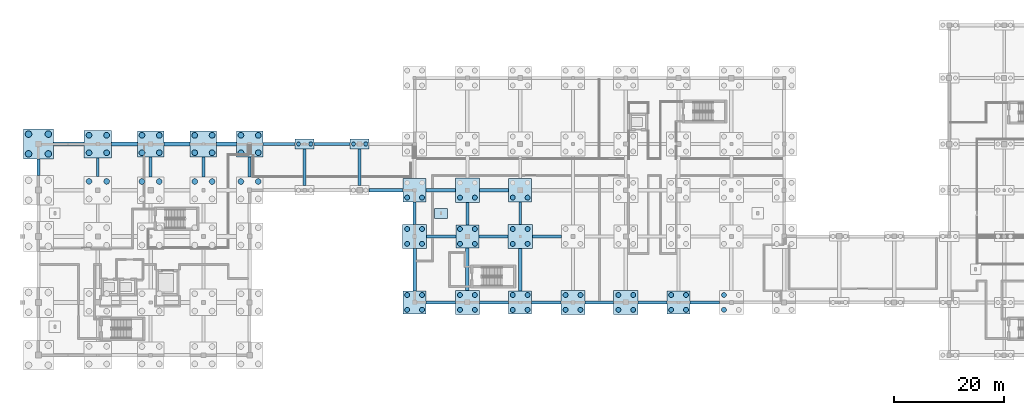
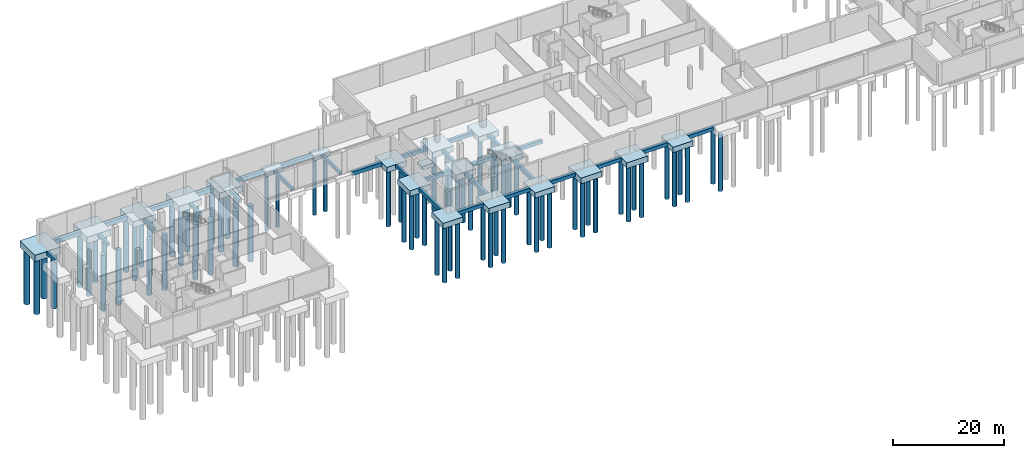
# One storey, part 2 of 28: 76 piles, 51 footings.
"""IFC4 building model written with IfcOpenShell, lengths in metres."""

from ifc_helpers import new_model, si_unit, direction, frame, origin, origin_2d, place, context, subcontext, project, spatial, rectangle, circle, extrude, material, layer, layer_set, material_profile, profile_set, type_object, element, save


model = new_model("IFC4")

# Units and contexts
model_context = context("Model", 3, precision=1e-05, world=origin(), true_north=direction((0.0, 1.0)))
body_context = subcontext(model_context, "Body", "Model", "MODEL_VIEW")
ifc_project = project(units=[si_unit("LENGTHUNIT", "METRE"), si_unit("AREAUNIT", "SQUARE_METRE"), si_unit("VOLUMEUNIT", "CUBIC_METRE"), si_unit("PLANEANGLEUNIT", "RADIAN"), si_unit("MASSUNIT", "GRAM", prefix="KILO")], contexts=[model_context])

# Site, building, storey
site_placement = place(None, origin())
site = spatial("IfcSite", under=ifc_project, at=site_placement, CompositionType="ELEMENT")
building_placement = place(site_placement, origin())
building = spatial("IfcBuilding", under=site, at=building_placement, Name="Zereglee Splitstone Museum", CompositionType="ELEMENT")
storey_placement = place(building_placement, frame((0.0, 0.0, -4.800048828125)))
storey = spatial("IfcBuildingStorey", under=building, at=storey_placement, Name="B1", CompositionType="ELEMENT", Elevation=-4.800048828125)

# Footings
ifc_material = material(Name="Concrete C40/50", Category="concrete")
footing_type_1 = type_object("IfcFootingType", Name="FB-03", PredefinedType="FOOTING_BEAM", material=ifc_material)
footing_1_placement = place(storey_placement, frame((9.60009765625, 34.199951171875, -1.14990234375), z_axis=(0.0, 0.0, 1.0), x_axis=(0.0, 1.0, 0.0)))
element("IfcFooting", 1, at=footing_1_placement, inside=storey, type_object=footing_type_1, Name="Ground Tie Beam FBY-141", PredefinedType="FOOTING_BEAM", context=body_context, shape_type="SweptSolid", body=[
    extrude(rectangle(XDim=3.0, YDim=0.5, at=origin_2d()), origin(), (0.0, 0.0, 1.0), 0.699951171875),
])
footing_2_placement = place(storey_placement, frame((20.39990234375, 34.199951171875, -1.14990234375), z_axis=(0.0, 0.0, 1.0), x_axis=(0.0, 1.0, 0.0)))
element("IfcFooting", 2, at=footing_2_placement, inside=storey, type_object=footing_type_1, Name="Ground Tie Beam FBY-145", PredefinedType="FOOTING_BEAM", context=body_context, shape_type="SweptSolid", body=[
    extrude(rectangle(XDim=3.39990234375, YDim=0.5, at=origin_2d()), origin(), (0.0, 0.0, 1.0), 0.699951171875),
])
for number, where, z_axis, x_axis, name in (
    (3, (30.0, 34.199951171875, -1.14990234375), (0.0, 0.0, 1.0), (0.0, 1.0, 0.0), "Ground Tie Beam FBY-149"),
    (4, (39.60009765625, 34.199951171875, -1.14990234375), (0.0, 0.0, 1.0), (0.0, 1.0, 0.0), "Ground Tie Beam FBY-153"),
    (5, (48.0, 34.199951171875, -1.14990234375), (0.0, 0.0, 1.0), (0.0, 1.0, 0.0), "Ground Tie Beam FBY-157"),
):
    element("IfcFooting", number, at=place(storey_placement, frame(where, z_axis=z_axis, x_axis=x_axis)), inside=storey, type_object=footing_type_1, Name=name, PredefinedType="FOOTING_BEAM", context=body_context, shape_type="SweptSolid", body=[
        extrude(rectangle(XDim=3.60009765625, YDim=0.5, at=origin_2d()), origin(), (0.0, 0.0, 1.0), 0.699951171875),
    ])
for number, where, z_axis, x_axis, name in (
    (6, (58.0, 34.199951171875, -1.14990234375), (0.0, 0.0, 1.0), (0.0, 1.0, 0.0), "Ground Tie Beam FBY-158"),
    (7, (68.0, 34.199951171875, -1.14990234375), (0.0, 0.0, 1.0), (0.0, 1.0, 0.0), "Ground Tie Beam FBY-159"),
):
    element("IfcFooting", number, at=place(storey_placement, frame(where, z_axis=z_axis, x_axis=x_axis)), inside=storey, type_object=footing_type_1, Name=name, PredefinedType="FOOTING_BEAM", context=body_context, shape_type="SweptSolid", body=[
        extrude(rectangle(XDim=6.64990234375, YDim=0.5, at=origin_2d()), origin(), (0.0, 0.0, 1.0), 0.699951171875),
    ])
for number, where, z_axis, x_axis, name in (
    (8, (78.0, 25.85009765625, -1.14990234375), (0.0, 0.0, 1.0), (0.0, 1.0, 0.0), "Ground Tie Beam FBY-161"),
    (9, (87.60009765625, 25.75, -1.14990234375), (0.0, 0.0, 1.0), (0.0, 1.0, 0.0), "Ground Tie Beam FBY-165"),
    (10, (97.199951171875, 25.85009765625, -1.14990234375), (0.0, 0.0, 1.0), (0.0, 1.0, 0.0), "Ground Tie Beam FBY-169"),
):
    element("IfcFooting", number, at=place(storey_placement, frame(where, z_axis=z_axis, x_axis=x_axis)), inside=storey, type_object=footing_type_1, Name=name, PredefinedType="FOOTING_BEAM", context=body_context, shape_type="SweptSolid", body=[
        extrude(rectangle(XDim=4.10009765625, YDim=0.5, at=origin_2d()), origin(), (0.0, 0.0, 1.0), 0.699951171875),
    ])
footing_type_2 = type_object("IfcFootingType", Name="FB-02", PredefinedType="FOOTING_BEAM", material=ifc_material)
for number, where, z_axis, x_axis, name in (
    (11, (82.75, 9.60009765625, -1.25), (0.0, 0.0, 1.0), (1.0, 0.0, 0.0), "Ground Tie Beam FBX-019"),
    (12, (92.449951171875, 9.60009765625, -1.25), (0.0, 0.0, 1.0), (1.0, 0.0, 0.0), "Ground Tie Beam FBX-020"),
    (13, (101.949951171875, 9.60009765625, -1.25), (0.0, 0.0, 1.0), (1.0, 0.0, 0.0), "Ground Tie Beam FBX-021"),
):
    element("IfcFooting", number, at=place(storey_placement, frame(where, z_axis=z_axis, x_axis=x_axis)), inside=storey, type_object=footing_type_2, Name=name, PredefinedType="FOOTING_BEAM", context=body_context, shape_type="SweptSolid", body=[
        extrude(rectangle(XDim=5.300048828125, YDim=0.60009765625, at=origin_2d()), origin(), (0.0, 0.0, 1.0), 0.800048828125),
    ])
footing_3_placement = place(storey_placement, frame((111.60009765625, 9.60009765625, -1.25), z_axis=(0.0, 0.0, 1.0), x_axis=(1.0, 0.0, 0.0)))
element("IfcFooting", 14, at=footing_3_placement, inside=storey, type_object=footing_type_2, Name="Ground Tie Beam FBX-022", PredefinedType="FOOTING_BEAM", context=body_context, shape_type="SweptSolid", body=[
    extrude(rectangle(XDim=5.199951171875, YDim=0.60009765625, at=origin_2d()), origin(), (0.0, 0.0, 1.0), 0.800048828125),
])
for number, where, z_axis, x_axis, name in (
    (15, (121.25, 9.60009765625, -1.25), (0.0, 0.0, 1.0), (1.0, 0.0, 0.0), "Ground Tie Beam FBX-023"),
    (16, (130.75, 9.60009765625, -1.25), (0.0, 0.0, 1.0), (1.0, 0.0, 0.0), "Ground Tie Beam FBX-024"),
    (17, (82.85009765625, 21.60009765625, -1.25), (0.0, 0.0, 1.0), (1.0, 0.0, 0.0), "Ground Tie Beam FBX-040"),
    (18, (92.35009765625, 21.60009765625, -1.25), (0.0, 0.0, 1.0), (1.0, 0.0, 0.0), "Ground Tie Beam FBX-041"),
    (19, (102.050048828125, 21.60009765625, -1.25), (0.0, 0.0, 1.0), (1.0, 0.0, 0.0), "Ground Tie Beam FBX-042"),
):
    element("IfcFooting", number, at=place(storey_placement, frame(where, z_axis=z_axis, x_axis=x_axis)), inside=storey, type_object=footing_type_2, Name=name, PredefinedType="FOOTING_BEAM", context=body_context, shape_type="SweptSolid", body=[
        extrude(rectangle(XDim=5.300048828125, YDim=0.60009765625, at=origin_2d()), origin(), (0.0, 0.0, 1.0), 0.800048828125),
    ])
footing_4_placement = place(storey_placement, frame((72.824951171875, 30.0, -1.25), z_axis=(0.0, 0.0, 1.0), x_axis=(1.0, 0.0, 0.0)))
element("IfcFooting", 20, at=footing_4_placement, inside=storey, type_object=footing_type_2, Name="Ground Tie Beam FBX-066", PredefinedType="FOOTING_BEAM", context=body_context, shape_type="SweptSolid", body=[
    extrude(rectangle(XDim=6.14990234375, YDim=0.60009765625, at=origin_2d()), origin(), (0.0, 0.0, 1.0), 0.800048828125),
])
for number, where, z_axis, x_axis, name in (
    (21, (82.75, 30.0, -1.25), (0.0, 0.0, 1.0), (1.0, 0.0, 0.0), "Ground Tie Beam FBX-067"),
    (22, (92.449951171875, 30.0, -1.25), (0.0, 0.0, 1.0), (1.0, 0.0, 0.0), "Ground Tie Beam FBX-068"),
):
    element("IfcFooting", number, at=place(storey_placement, frame(where, z_axis=z_axis, x_axis=x_axis)), inside=storey, type_object=footing_type_2, Name=name, PredefinedType="FOOTING_BEAM", context=body_context, shape_type="SweptSolid", body=[
        extrude(rectangle(XDim=5.300048828125, YDim=0.60009765625, at=origin_2d()), origin(), (0.0, 0.0, 1.0), 0.800048828125),
    ])
footing_5_placement = place(storey_placement, frame((53.324951171875, 38.39990234375, -1.25), z_axis=(0.0, 0.0, 1.0), x_axis=(1.0, 0.0, 0.0)))
element("IfcFooting", 23, at=footing_5_placement, inside=storey, type_object=footing_type_2, Name="Ground Tie Beam FBX-093", PredefinedType="FOOTING_BEAM", context=body_context, shape_type="SweptSolid", body=[
    extrude(rectangle(XDim=5.85009765625, YDim=0.60009765625, at=origin_2d()), origin(), (0.0, 0.0, 1.0), 0.800048828125),
])
footing_6_placement = place(storey_placement, frame((63.0, 38.39990234375, -1.25), z_axis=(0.0, 0.0, 1.0), x_axis=(1.0, 0.0, 0.0)))
element("IfcFooting", 24, at=footing_6_placement, inside=storey, type_object=footing_type_2, Name="Ground Tie Beam FBX-094", PredefinedType="FOOTING_BEAM", context=body_context, shape_type="SweptSolid", body=[
    extrude(rectangle(XDim=6.5, YDim=0.60009765625, at=origin_2d()), origin(), (0.0, 0.0, 1.0), 0.800048828125),
])
for number, where, z_axis, x_axis, name in (
    (25, (78.0, 15.550048828125, -1.25), (0.0, 0.0, 1.0), (0.0, 1.0, 0.0), "Ground Tie Beam FBY-160"),
    (26, (87.60009765625, 15.64990234375, -1.25), (0.0, 0.0, 1.0), (0.0, 1.0, 0.0), "Ground Tie Beam FBY-164"),
    (27, (97.199951171875, 15.550048828125, -1.25), (0.0, 0.0, 1.0), (0.0, 1.0, 0.0), "Ground Tie Beam FBY-168"),
):
    element("IfcFooting", number, at=place(storey_placement, frame(where, z_axis=z_axis, x_axis=x_axis)), inside=storey, type_object=footing_type_2, Name=name, PredefinedType="FOOTING_BEAM", context=body_context, shape_type="SweptSolid", body=[
        extrude(rectangle(XDim=7.699951171875, YDim=0.60009765625, at=origin_2d()), origin(), (0.0, 0.0, 1.0), 0.800048828125),
    ])
footing_type_3 = type_object("IfcFootingType", Name="FB-01", PredefinedType="FOOTING_BEAM", material=ifc_material)
footing_7_placement = place(storey_placement, frame((15.10009765625, 38.39990234375, -1.349853515625), z_axis=(0.0, 0.0, 1.0), x_axis=(1.0, 0.0, 0.0)))
element("IfcFooting", 28, at=footing_7_placement, inside=storey, type_object=footing_type_3, Name="Ground Tie Beam FBX-089", PredefinedType="FOOTING_BEAM", context=body_context, shape_type="SweptSolid", body=[
    extrude(rectangle(XDim=5.60009765625, YDim=0.699951171875, at=origin_2d()), origin(), (0.0, 0.0, 1.0), 0.89990234375),
])
footing_8_placement = place(storey_placement, frame((25.25, 38.39990234375, -1.349853515625), z_axis=(0.0, 0.0, 1.0), x_axis=(1.0, 0.0, 0.0)))
element("IfcFooting", 29, at=footing_8_placement, inside=storey, type_object=footing_type_3, Name="Ground Tie Beam FBX-090", PredefinedType="FOOTING_BEAM", context=body_context, shape_type="SweptSolid", body=[
    extrude(rectangle(XDim=4.699951171875, YDim=0.699951171875, at=origin_2d()), origin(), (0.0, 0.0, 1.0), 0.89990234375),
])
footing_9_placement = place(storey_placement, frame((34.800048828125, 38.39990234375, -1.349853515625), z_axis=(0.0, 0.0, 1.0), x_axis=(1.0, 0.0, 0.0)))
element("IfcFooting", 30, at=footing_9_placement, inside=storey, type_object=footing_type_3, Name="Ground Tie Beam FBX-091", PredefinedType="FOOTING_BEAM", context=body_context, shape_type="SweptSolid", body=[
    extrude(rectangle(XDim=4.800048828125, YDim=0.699951171875, at=origin_2d()), origin(), (0.0, 0.0, 1.0), 0.89990234375),
])
footing_10_placement = place(storey_placement, frame((43.800048828125, 38.39990234375, -1.349853515625), z_axis=(0.0, 0.0, 1.0), x_axis=(1.0, 0.0, 0.0)))
element("IfcFooting", 31, at=footing_10_placement, inside=storey, type_object=footing_type_3, Name="Ground Tie Beam FBX-092", PredefinedType="FOOTING_BEAM", context=body_context, shape_type="SweptSolid", body=[
    extrude(rectangle(XDim=3.60009765625, YDim=0.699951171875, at=origin_2d()), origin(), (0.0, 0.0, 1.0), 0.89990234375),
])
ifc_layer_1 = layer(ifc_material, 0.800048828125)
ifc_layer_set_1 = layer_set([ifc_layer_1], Name="Concrete C40/50")
footing_type_4 = type_object("IfcFootingType", Name="PF-03", PredefinedType="PAD_FOOTING", material=ifc_layer_set_1)
footing_11_placement = place(storey_placement, frame((82.800048828125, 25.800048828125, -1.25), z_axis=(0.0, 0.0, 1.0), x_axis=(1.0, 0.0, 0.0)))
element("IfcFooting", 32, at=footing_11_placement, inside=storey, type_object=footing_type_4, Name="Interior Portal Pilaster Pad Footing PF3", PredefinedType="PAD_FOOTING", context=body_context, shape_type="SweptSolid", body=[
    extrude(rectangle(XDim=2.39990234375, YDim=1.800048828125, at=origin_2d()), origin(), (0.0, 0.0, 1.0), 0.800048828125),
])
ifc_layer_2 = layer(ifc_material, 1.0)
ifc_layer_set_2 = layer_set([ifc_layer_2], Name="Concrete C40/50")
footing_type_5 = type_object("IfcFootingType", Name="PC-08", PredefinedType="PILE_CAP", material=ifc_layer_set_2)
for number, where, z_axis, x_axis, name in (
    (33, (58.0, 38.39990234375, -1.449951171875), (0.0, 0.0, 1.0), (1.0, 0.0, 0.0), "Pile Cap at (58.0, 38.4)"),
    (34, (68.0, 38.39990234375, -1.449951171875), (0.0, 0.0, 1.0), (1.0, 0.0, 0.0), "Pile Cap at (68.0, 38.4)"),
):
    element("IfcFooting", number, at=place(storey_placement, frame(where, z_axis=z_axis, x_axis=x_axis)), inside=storey, type_object=footing_type_5, Name=name, PredefinedType="PILE_CAP", context=body_context, shape_type="SweptSolid", body=[
        extrude(rectangle(XDim=3.5, YDim=1.75, at=origin_2d()), origin(), (0.0, 0.0, 1.0), 1.0),
    ])
ifc_layer_3 = layer(ifc_material, 1.199951171875)
ifc_layer_set_3 = layer_set([ifc_layer_3], Name="Concrete C40/50")
footing_type_6 = type_object("IfcFootingType", Name="PC-05", PredefinedType="PILE_CAP", material=ifc_layer_set_3)
for number, where, z_axis, x_axis, name in (
    (35, (78.0, 9.60009765625, -1.64990234375), (0.0, 0.0, 1.0), (1.0, 0.0, 0.0), "Pile Cap at (78.0, 9.6)"),
    (36, (78.0, 30.0, -1.64990234375), (0.0, 0.0, 1.0), (1.0, 0.0, 0.0), "Pile Cap at (78.0, 30.0)"),
    (37, (87.60009765625, 21.60009765625, -1.64990234375), (0.0, 0.0, 1.0), (1.0, 0.0, 0.0), "Pile Cap at (87.6, 21.6)"),
    (38, (97.199951171875, 9.60009765625, -1.64990234375), (0.0, 0.0, 1.0), (1.0, 0.0, 0.0), "Pile Cap at (97.2, 9.6)"),
    (39, (97.199951171875, 30.0, -1.64990234375), (0.0, 0.0, 1.0), (1.0, 0.0, 0.0), "Pile Cap at (97.2, 30.0)"),
    (40, (126.0, 9.60009765625, -1.64990234375), (0.0, 0.0, 1.0), (1.0, 0.0, 0.0), "Pile Cap at (126.0, 9.6)"),
):
    element("IfcFooting", number, at=place(storey_placement, frame(where, z_axis=z_axis, x_axis=x_axis)), inside=storey, type_object=footing_type_6, Name=name, PredefinedType="PILE_CAP", context=body_context, shape_type="SweptSolid", body=[
        extrude(rectangle(XDim=4.199951171875, YDim=4.199951171875, at=origin_2d()), origin(), (0.0, 0.0, 1.0), 1.199951171875),
    ])
ifc_layer_4 = layer(ifc_material, 1.25)
ifc_layer_set_4 = layer_set([ifc_layer_4], Name="Concrete C40/50")
footing_type_7 = type_object("IfcFootingType", Name="PC-04", PredefinedType="PILE_CAP", material=ifc_layer_set_4)
for number, where, z_axis, x_axis, name in (
    (41, (78.0, 21.60009765625, -1.699951171875), (0.0, 0.0, 1.0), (1.0, 0.0, 0.0), "Pile Cap at (78.0, 21.6)"),
    (42, (87.60009765625, 9.60009765625, -1.699951171875), (0.0, 0.0, 1.0), (1.0, 0.0, 0.0), "Pile Cap at (87.6, 9.6)"),
    (43, (87.60009765625, 30.0, -1.699951171875), (0.0, 0.0, 1.0), (1.0, 0.0, 0.0), "Pile Cap at (87.6, 30.0)"),
    (44, (97.199951171875, 21.60009765625, -1.699951171875), (0.0, 0.0, 1.0), (1.0, 0.0, 0.0), "Pile Cap at (97.2, 21.6)"),
    (45, (106.800048828125, 9.60009765625, -1.699951171875), (0.0, 0.0, 1.0), (1.0, 0.0, 0.0), "Pile Cap at (106.8, 9.6)"),
    (46, (116.39990234375, 9.60009765625, -1.699951171875), (0.0, 0.0, 1.0), (1.0, 0.0, 0.0), "Pile Cap at (116.4, 9.6)"),
):
    element("IfcFooting", number, at=place(storey_placement, frame(where, z_axis=z_axis, x_axis=x_axis)), inside=storey, type_object=footing_type_7, Name=name, PredefinedType="PILE_CAP", context=body_context, shape_type="SweptSolid", body=[
        extrude(rectangle(XDim=4.39990234375, YDim=4.39990234375, at=origin_2d()), origin(), (0.0, 0.0, 1.0), 1.25),
    ])
ifc_layer_5 = layer(ifc_material, 1.35009765625)
ifc_layer_set_5 = layer_set([ifc_layer_5], Name="Concrete C40/50")
footing_type_8 = type_object("IfcFootingType", Name="PC-03", PredefinedType="PILE_CAP", material=ifc_layer_set_5)
for number, where, z_axis, x_axis, name in (
    (47, (30.0, 38.39990234375, -1.800048828125), (0.0, 0.0, 1.0), (1.0, 0.0, 0.0), "Pile Cap at (30.0, 38.4)"),
    (48, (39.60009765625, 38.39990234375, -1.800048828125), (0.0, 0.0, 1.0), (1.0, 0.0, 0.0), "Pile Cap at (39.6, 38.4)"),
    (49, (48.0, 38.39990234375, -1.800048828125), (0.0, 0.0, 1.0), (1.0, 0.0, 0.0), "Pile Cap at (48.0, 38.4)"),
):
    element("IfcFooting", number, at=place(storey_placement, frame(where, z_axis=z_axis, x_axis=x_axis)), inside=storey, type_object=footing_type_8, Name=name, PredefinedType="PILE_CAP", context=body_context, shape_type="SweptSolid", body=[
        extrude(rectangle(XDim=4.800048828125, YDim=4.800048828125, at=origin_2d()), origin(), (0.0, 0.0, 1.0), 1.35009765625),
    ])
ifc_layer_6 = layer(ifc_material, 1.39990234375)
ifc_layer_set_6 = layer_set([ifc_layer_6], Name="Concrete C40/50")
footing_type_9 = type_object("IfcFootingType", Name="PC-02", PredefinedType="PILE_CAP", material=ifc_layer_set_6)
footing_12_placement = place(storey_placement, frame((20.39990234375, 38.39990234375, -1.849853515625), z_axis=(0.0, 0.0, 1.0), x_axis=(1.0, 0.0, 0.0)))
element("IfcFooting", 50, at=footing_12_placement, inside=storey, type_object=footing_type_9, Name="Pile Cap at (20.4, 38.4)", PredefinedType="PILE_CAP", context=body_context, shape_type="SweptSolid", body=[
    extrude(rectangle(XDim=5.0, YDim=5.0, at=origin_2d()), origin(), (0.0, 0.0, 1.0), 1.39990234375),
])
ifc_layer_7 = layer(ifc_material, 1.449951171875)
ifc_layer_set_7 = layer_set([ifc_layer_7], Name="Concrete C40/50")
footing_type_10 = type_object("IfcFootingType", Name="PC-01", PredefinedType="PILE_CAP", material=ifc_layer_set_7)
footing_13_placement = place(storey_placement, frame((9.60009765625, 38.39990234375, -1.89990234375), z_axis=(0.0, 0.0, 1.0), x_axis=(1.0, 0.0, 0.0)))
element("IfcFooting", 51, at=footing_13_placement, inside=storey, type_object=footing_type_10, Name="Pile Cap at (9.6, 38.4)", PredefinedType="PILE_CAP", context=body_context, shape_type="SweptSolid", body=[
    extrude(rectangle(XDim=5.39990234375, YDim=5.39990234375, at=origin_2d()), origin(), (0.0, 0.0, 1.0), 1.449951171875),
])

# Piles
ifc_material_profile_1 = material_profile(ifc_material, circle(Radius=0.52490234375, at=origin_2d()), Name="PILE D1050")
ifc_profile_set_1 = profile_set([ifc_material_profile_1], Name="Concrete C40/50")
pile_type_1 = type_object("IfcPileType", Name="PL-D10", PredefinedType="BORED", material=ifc_profile_set_1)
for number, where, z_axis, x_axis, name in (
    (52, (18.800048828125, 31.60009765625, -1.75), (0.0, 0.0, -1.0), (1.0, 0.0, 0.0), "Bored Pile 204-300-3"),
    (53, (22.0, 31.60009765625, -1.75), (0.0, 0.0, -1.0), (1.0, 0.0, 0.0), "Bored Pile 204-300-4"),
    (54, (18.800048828125, 36.800048828125, -1.75), (0.0, 0.0, -1.0), (1.0, 0.0, 0.0), "Bored Pile 204-384-1"),
    (55, (22.0, 36.800048828125, -1.75), (0.0, 0.0, -1.0), (1.0, 0.0, 0.0), "Bored Pile 204-384-2"),
    (56, (18.800048828125, 40.0, -1.75), (0.0, 0.0, -1.0), (1.0, 0.0, 0.0), "Bored Pile 204-384-3"),
    (57, (22.0, 40.0, -1.75), (0.0, 0.0, -1.0), (1.0, 0.0, 0.0), "Bored Pile 204-384-4"),
):
    element("IfcPile", number, at=place(storey_placement, frame(where, z_axis=z_axis, x_axis=x_axis)), inside=storey, type_object=pile_type_1, Name=name, PredefinedType="BORED", context=body_context, shape_type="SweptSolid", body=[
        extrude(circle(Radius=0.52490234375, at=origin_2d()), origin(), (0.0, 0.0, 1.0), 12.25),
    ])
for number, where, z_axis, x_axis, name in (
    (58, (28.419921875, 31.580078125, -1.699951171875), (0.0, 0.0, -1.0), (1.0, 0.0, 0.0), "Bored Pile 300-300-3"),
    (59, (31.580078125, 31.580078125, -1.699951171875), (0.0, 0.0, -1.0), (1.0, 0.0, 0.0), "Bored Pile 300-300-4"),
    (60, (28.419921875, 36.820068359375, -1.699951171875), (0.0, 0.0, -1.0), (1.0, 0.0, 0.0), "Bored Pile 300-384-1"),
    (61, (31.580078125, 36.820068359375, -1.699951171875), (0.0, 0.0, -1.0), (1.0, 0.0, 0.0), "Bored Pile 300-384-2"),
    (62, (28.419921875, 39.97998046875, -1.699951171875), (0.0, 0.0, -1.0), (1.0, 0.0, 0.0), "Bored Pile 300-384-3"),
    (63, (31.580078125, 39.97998046875, -1.699951171875), (0.0, 0.0, -1.0), (1.0, 0.0, 0.0), "Bored Pile 300-384-4"),
    (64, (38.02001953125, 31.580078125, -1.699951171875), (0.0, 0.0, -1.0), (1.0, 0.0, 0.0), "Bored Pile 396-300-3"),
    (65, (41.179931640625, 31.580078125, -1.699951171875), (0.0, 0.0, -1.0), (1.0, 0.0, 0.0), "Bored Pile 396-300-4"),
    (66, (38.02001953125, 36.820068359375, -1.699951171875), (0.0, 0.0, -1.0), (1.0, 0.0, 0.0), "Bored Pile 396-384-1"),
    (67, (41.179931640625, 36.820068359375, -1.699951171875), (0.0, 0.0, -1.0), (1.0, 0.0, 0.0), "Bored Pile 396-384-2"),
    (68, (38.02001953125, 39.97998046875, -1.699951171875), (0.0, 0.0, -1.0), (1.0, 0.0, 0.0), "Bored Pile 396-384-3"),
    (69, (41.179931640625, 39.97998046875, -1.699951171875), (0.0, 0.0, -1.0), (1.0, 0.0, 0.0), "Bored Pile 396-384-4"),
    (70, (46.419921875, 31.580078125, -1.699951171875), (0.0, 0.0, -1.0), (1.0, 0.0, 0.0), "Bored Pile 480-300-3"),
    (71, (49.580078125, 31.580078125, -1.699951171875), (0.0, 0.0, -1.0), (1.0, 0.0, 0.0), "Bored Pile 480-300-4"),
    (72, (46.419921875, 36.820068359375, -1.699951171875), (0.0, 0.0, -1.0), (1.0, 0.0, 0.0), "Bored Pile 480-384-1"),
    (73, (49.580078125, 36.820068359375, -1.699951171875), (0.0, 0.0, -1.0), (1.0, 0.0, 0.0), "Bored Pile 480-384-2"),
    (74, (46.419921875, 39.97998046875, -1.699951171875), (0.0, 0.0, -1.0), (1.0, 0.0, 0.0), "Bored Pile 480-384-3"),
    (75, (49.580078125, 39.97998046875, -1.699951171875), (0.0, 0.0, -1.0), (1.0, 0.0, 0.0), "Bored Pile 480-384-4"),
):
    element("IfcPile", number, at=place(storey_placement, frame(where, z_axis=z_axis, x_axis=x_axis)), inside=storey, type_object=pile_type_1, Name=name, PredefinedType="BORED", context=body_context, shape_type="SweptSolid", body=[
        extrude(circle(Radius=0.52490234375, at=origin_2d()), origin(), (0.0, 0.0, 1.0), 12.300048828125),
    ])
ifc_material_profile_2 = material_profile(ifc_material, circle(Radius=0.60009765625, at=origin_2d()), Name="PILE D1200")
ifc_profile_set_2 = profile_set([ifc_material_profile_2], Name="Concrete C40/50")
pile_type_2 = type_object("IfcPileType", Name="PL-D12", PredefinedType="BORED", material=ifc_profile_set_2)
for number, where, z_axis, x_axis, name in (
    (76, (7.800048828125, 36.60009765625, -1.800048828125), (0.0, 0.0, -1.0), (1.0, 0.0, 0.0), "Bored Pile 96-384-1"),
    (77, (11.39990234375, 36.60009765625, -1.800048828125), (0.0, 0.0, -1.0), (1.0, 0.0, 0.0), "Bored Pile 96-384-2"),
    (78, (7.800048828125, 40.199951171875, -1.800048828125), (0.0, 0.0, -1.0), (1.0, 0.0, 0.0), "Bored Pile 96-384-3"),
    (79, (11.39990234375, 40.199951171875, -1.800048828125), (0.0, 0.0, -1.0), (1.0, 0.0, 0.0), "Bored Pile 96-384-4"),
):
    element("IfcPile", number, at=place(storey_placement, frame(where, z_axis=z_axis, x_axis=x_axis)), inside=storey, type_object=pile_type_2, Name=name, PredefinedType="BORED", context=body_context, shape_type="SweptSolid", body=[
        extrude(circle(Radius=0.60009765625, at=origin_2d()), origin(), (0.0, 0.0, 1.0), 12.199951171875),
    ])
ifc_material_profile_3 = material_profile(ifc_material, circle(Radius=0.375, at=origin_2d()), Name="PILE D750")
ifc_profile_set_3 = profile_set([ifc_material_profile_3], Name="Concrete C40/50")
pile_type_3 = type_object("IfcPileType", Name="PL-D07", PredefinedType="BORED", material=ifc_profile_set_3)
for number, where, z_axis, x_axis, name in (
    (80, (56.875, 38.39990234375, -1.349853515625), (0.0, 0.0, -1.0), (1.0, 0.0, 0.0), "Bored Pile 580-384-1"),
    (81, (59.125, 38.39990234375, -1.349853515625), (0.0, 0.0, -1.0), (1.0, 0.0, 0.0), "Bored Pile 580-384-2"),
    (82, (66.875, 38.39990234375, -1.349853515625), (0.0, 0.0, -1.0), (1.0, 0.0, 0.0), "Bored Pile 680-384-1"),
    (83, (69.125, 38.39990234375, -1.349853515625), (0.0, 0.0, -1.0), (1.0, 0.0, 0.0), "Bored Pile 680-384-2"),
):
    element("IfcPile", number, at=place(storey_placement, frame(where, z_axis=z_axis, x_axis=x_axis)), inside=storey, type_object=pile_type_3, Name=name, PredefinedType="BORED", context=body_context, shape_type="SweptSolid", body=[
        extrude(circle(Radius=0.375, at=origin_2d()), origin(), (0.0, 0.0, 1.0), 12.64990234375),
    ])
ifc_material_profile_4 = material_profile(ifc_material, circle(Radius=0.449951171875, at=origin_2d()), Name="PILE D900")
ifc_profile_set_4 = profile_set([ifc_material_profile_4], Name="Concrete C40/50")
pile_type_4 = type_object("IfcPileType", Name="PL-D09", PredefinedType="BORED", material=ifc_profile_set_4)
for number, where, z_axis, x_axis, name in (
    (84, (76.64990234375, 8.25, -1.550048828125), (0.0, 0.0, -1.0), (1.0, 0.0, 0.0), "Bored Pile 780-96-1"),
    (85, (79.35009765625, 8.25, -1.550048828125), (0.0, 0.0, -1.0), (1.0, 0.0, 0.0), "Bored Pile 780-96-2"),
    (86, (76.64990234375, 10.949951171875, -1.550048828125), (0.0, 0.0, -1.0), (1.0, 0.0, 0.0), "Bored Pile 780-96-3"),
    (87, (79.35009765625, 10.949951171875, -1.550048828125), (0.0, 0.0, -1.0), (1.0, 0.0, 0.0), "Bored Pile 780-96-4"),
):
    element("IfcPile", number, at=place(storey_placement, frame(where, z_axis=z_axis, x_axis=x_axis)), inside=storey, type_object=pile_type_4, Name=name, PredefinedType="BORED", context=body_context, shape_type="SweptSolid", body=[
        extrude(circle(Radius=0.449951171875, at=origin_2d()), origin(), (0.0, 0.0, 1.0), 12.449951171875),
    ])
for number, where, z_axis, x_axis, name in (
    (88, (76.64990234375, 20.25, -1.599853515625), (0.0, 0.0, -1.0), (1.0, 0.0, 0.0), "Bored Pile 780-216-1"),
    (89, (79.35009765625, 20.25, -1.599853515625), (0.0, 0.0, -1.0), (1.0, 0.0, 0.0), "Bored Pile 780-216-2"),
    (90, (76.64990234375, 22.949951171875, -1.599853515625), (0.0, 0.0, -1.0), (1.0, 0.0, 0.0), "Bored Pile 780-216-3"),
    (91, (79.35009765625, 22.949951171875, -1.599853515625), (0.0, 0.0, -1.0), (1.0, 0.0, 0.0), "Bored Pile 780-216-4"),
):
    element("IfcPile", number, at=place(storey_placement, frame(where, z_axis=z_axis, x_axis=x_axis)), inside=storey, type_object=pile_type_4, Name=name, PredefinedType="BORED", context=body_context, shape_type="SweptSolid", body=[
        extrude(circle(Radius=0.449951171875, at=origin_2d()), origin(), (0.0, 0.0, 1.0), 12.39990234375),
    ])
for number, where, z_axis, x_axis, name in (
    (92, (76.64990234375, 28.64990234375, -1.550048828125), (0.0, 0.0, -1.0), (1.0, 0.0, 0.0), "Bored Pile 780-300-1"),
    (93, (79.35009765625, 28.64990234375, -1.550048828125), (0.0, 0.0, -1.0), (1.0, 0.0, 0.0), "Bored Pile 780-300-2"),
):
    element("IfcPile", number, at=place(storey_placement, frame(where, z_axis=z_axis, x_axis=x_axis)), inside=storey, type_object=pile_type_4, Name=name, PredefinedType="BORED", context=body_context, shape_type="SweptSolid", body=[
        extrude(circle(Radius=0.449951171875, at=origin_2d()), origin(), (0.0, 0.0, 1.0), 12.449951171875),
    ])
for number, where, z_axis, x_axis, name in (
    (94, (86.25, 8.25, -1.599853515625), (0.0, 0.0, -1.0), (1.0, 0.0, 0.0), "Bored Pile 876-96-1"),
    (95, (88.949951171875, 8.25, -1.599853515625), (0.0, 0.0, -1.0), (1.0, 0.0, 0.0), "Bored Pile 876-96-2"),
    (96, (86.25, 10.949951171875, -1.599853515625), (0.0, 0.0, -1.0), (1.0, 0.0, 0.0), "Bored Pile 876-96-3"),
    (97, (88.949951171875, 10.949951171875, -1.599853515625), (0.0, 0.0, -1.0), (1.0, 0.0, 0.0), "Bored Pile 876-96-4"),
):
    element("IfcPile", number, at=place(storey_placement, frame(where, z_axis=z_axis, x_axis=x_axis)), inside=storey, type_object=pile_type_4, Name=name, PredefinedType="BORED", context=body_context, shape_type="SweptSolid", body=[
        extrude(circle(Radius=0.449951171875, at=origin_2d()), origin(), (0.0, 0.0, 1.0), 12.39990234375),
    ])
for number, where, z_axis, x_axis, name in (
    (98, (86.25, 20.25, -1.550048828125), (0.0, 0.0, -1.0), (1.0, 0.0, 0.0), "Bored Pile 876-216-1"),
    (99, (88.949951171875, 20.25, -1.550048828125), (0.0, 0.0, -1.0), (1.0, 0.0, 0.0), "Bored Pile 876-216-2"),
    (100, (86.25, 22.949951171875, -1.550048828125), (0.0, 0.0, -1.0), (1.0, 0.0, 0.0), "Bored Pile 876-216-3"),
    (101, (88.949951171875, 22.949951171875, -1.550048828125), (0.0, 0.0, -1.0), (1.0, 0.0, 0.0), "Bored Pile 876-216-4"),
):
    element("IfcPile", number, at=place(storey_placement, frame(where, z_axis=z_axis, x_axis=x_axis)), inside=storey, type_object=pile_type_4, Name=name, PredefinedType="BORED", context=body_context, shape_type="SweptSolid", body=[
        extrude(circle(Radius=0.449951171875, at=origin_2d()), origin(), (0.0, 0.0, 1.0), 12.449951171875),
    ])
for number, where, z_axis, x_axis, name in (
    (102, (86.25, 28.64990234375, -1.599853515625), (0.0, 0.0, -1.0), (1.0, 0.0, 0.0), "Bored Pile 876-300-1"),
    (103, (88.949951171875, 28.64990234375, -1.599853515625), (0.0, 0.0, -1.0), (1.0, 0.0, 0.0), "Bored Pile 876-300-2"),
):
    element("IfcPile", number, at=place(storey_placement, frame(where, z_axis=z_axis, x_axis=x_axis)), inside=storey, type_object=pile_type_4, Name=name, PredefinedType="BORED", context=body_context, shape_type="SweptSolid", body=[
        extrude(circle(Radius=0.449951171875, at=origin_2d()), origin(), (0.0, 0.0, 1.0), 12.39990234375),
    ])
for number, where, z_axis, x_axis, name in (
    (104, (95.85009765625, 8.25, -1.550048828125), (0.0, 0.0, -1.0), (1.0, 0.0, 0.0), "Bored Pile 972-96-1"),
    (105, (98.550048828125, 8.25, -1.550048828125), (0.0, 0.0, -1.0), (1.0, 0.0, 0.0), "Bored Pile 972-96-2"),
    (106, (95.85009765625, 10.949951171875, -1.550048828125), (0.0, 0.0, -1.0), (1.0, 0.0, 0.0), "Bored Pile 972-96-3"),
    (107, (98.550048828125, 10.949951171875, -1.550048828125), (0.0, 0.0, -1.0), (1.0, 0.0, 0.0), "Bored Pile 972-96-4"),
):
    element("IfcPile", number, at=place(storey_placement, frame(where, z_axis=z_axis, x_axis=x_axis)), inside=storey, type_object=pile_type_4, Name=name, PredefinedType="BORED", context=body_context, shape_type="SweptSolid", body=[
        extrude(circle(Radius=0.449951171875, at=origin_2d()), origin(), (0.0, 0.0, 1.0), 12.449951171875),
    ])
for number, where, z_axis, x_axis, name in (
    (108, (95.85009765625, 20.25, -1.599853515625), (0.0, 0.0, -1.0), (1.0, 0.0, 0.0), "Bored Pile 972-216-1"),
    (109, (98.550048828125, 20.25, -1.599853515625), (0.0, 0.0, -1.0), (1.0, 0.0, 0.0), "Bored Pile 972-216-2"),
    (110, (95.85009765625, 22.949951171875, -1.599853515625), (0.0, 0.0, -1.0), (1.0, 0.0, 0.0), "Bored Pile 972-216-3"),
    (111, (98.550048828125, 22.949951171875, -1.599853515625), (0.0, 0.0, -1.0), (1.0, 0.0, 0.0), "Bored Pile 972-216-4"),
):
    element("IfcPile", number, at=place(storey_placement, frame(where, z_axis=z_axis, x_axis=x_axis)), inside=storey, type_object=pile_type_4, Name=name, PredefinedType="BORED", context=body_context, shape_type="SweptSolid", body=[
        extrude(circle(Radius=0.449951171875, at=origin_2d()), origin(), (0.0, 0.0, 1.0), 12.39990234375),
    ])
for number, where, z_axis, x_axis, name in (
    (112, (95.85009765625, 28.64990234375, -1.550048828125), (0.0, 0.0, -1.0), (1.0, 0.0, 0.0), "Bored Pile 972-300-1"),
    (113, (98.550048828125, 28.64990234375, -1.550048828125), (0.0, 0.0, -1.0), (1.0, 0.0, 0.0), "Bored Pile 972-300-2"),
):
    element("IfcPile", number, at=place(storey_placement, frame(where, z_axis=z_axis, x_axis=x_axis)), inside=storey, type_object=pile_type_4, Name=name, PredefinedType="BORED", context=body_context, shape_type="SweptSolid", body=[
        extrude(circle(Radius=0.449951171875, at=origin_2d()), origin(), (0.0, 0.0, 1.0), 12.449951171875),
    ])
for number, where, z_axis, x_axis, name in (
    (114, (105.449951171875, 8.25, -1.599853515625), (0.0, 0.0, -1.0), (1.0, 0.0, 0.0), "Bored Pile 1068-96-1"),
    (115, (108.14990234375, 8.25, -1.599853515625), (0.0, 0.0, -1.0), (1.0, 0.0, 0.0), "Bored Pile 1068-96-2"),
    (116, (105.449951171875, 10.949951171875, -1.599853515625), (0.0, 0.0, -1.0), (1.0, 0.0, 0.0), "Bored Pile 1068-96-3"),
    (117, (108.14990234375, 10.949951171875, -1.599853515625), (0.0, 0.0, -1.0), (1.0, 0.0, 0.0), "Bored Pile 1068-96-4"),
    (118, (115.050048828125, 8.25, -1.599853515625), (0.0, 0.0, -1.0), (1.0, 0.0, 0.0), "Bored Pile 1164-96-1"),
    (119, (117.75, 8.25, -1.599853515625), (0.0, 0.0, -1.0), (1.0, 0.0, 0.0), "Bored Pile 1164-96-2"),
    (120, (115.050048828125, 10.949951171875, -1.599853515625), (0.0, 0.0, -1.0), (1.0, 0.0, 0.0), "Bored Pile 1164-96-3"),
    (121, (117.75, 10.949951171875, -1.599853515625), (0.0, 0.0, -1.0), (1.0, 0.0, 0.0), "Bored Pile 1164-96-4"),
):
    element("IfcPile", number, at=place(storey_placement, frame(where, z_axis=z_axis, x_axis=x_axis)), inside=storey, type_object=pile_type_4, Name=name, PredefinedType="BORED", context=body_context, shape_type="SweptSolid", body=[
        extrude(circle(Radius=0.449951171875, at=origin_2d()), origin(), (0.0, 0.0, 1.0), 12.39990234375),
    ])
for number, where, z_axis, x_axis, name in (
    (122, (124.64990234375, 8.25, -1.550048828125), (0.0, 0.0, -1.0), (1.0, 0.0, 0.0), "Bored Pile 1260-96-1"),
    (123, (127.35009765625, 8.25, -1.550048828125), (0.0, 0.0, -1.0), (1.0, 0.0, 0.0), "Bored Pile 1260-96-2"),
    (124, (124.64990234375, 10.949951171875, -1.550048828125), (0.0, 0.0, -1.0), (1.0, 0.0, 0.0), "Bored Pile 1260-96-3"),
    (125, (127.35009765625, 10.949951171875, -1.550048828125), (0.0, 0.0, -1.0), (1.0, 0.0, 0.0), "Bored Pile 1260-96-4"),
):
    element("IfcPile", number, at=place(storey_placement, frame(where, z_axis=z_axis, x_axis=x_axis)), inside=storey, type_object=pile_type_4, Name=name, PredefinedType="BORED", context=body_context, shape_type="SweptSolid", body=[
        extrude(circle(Radius=0.449951171875, at=origin_2d()), origin(), (0.0, 0.0, 1.0), 12.449951171875),
    ])
for number, where, z_axis, x_axis, name in (
    (126, (134.25, 8.25, -1.599853515625), (0.0, 0.0, -1.0), (1.0, 0.0, 0.0), "Bored Pile 1356-96-1"),
    (127, (134.25, 10.949951171875, -1.599853515625), (0.0, 0.0, -1.0), (1.0, 0.0, 0.0), "Bored Pile 1356-96-3"),
):
    element("IfcPile", number, at=place(storey_placement, frame(where, z_axis=z_axis, x_axis=x_axis)), inside=storey, type_object=pile_type_4, Name=name, PredefinedType="BORED", context=body_context, shape_type="SweptSolid", body=[
        extrude(circle(Radius=0.449951171875, at=origin_2d()), origin(), (0.0, 0.0, 1.0), 12.39990234375),
    ])

save(model, "model.ifc")
